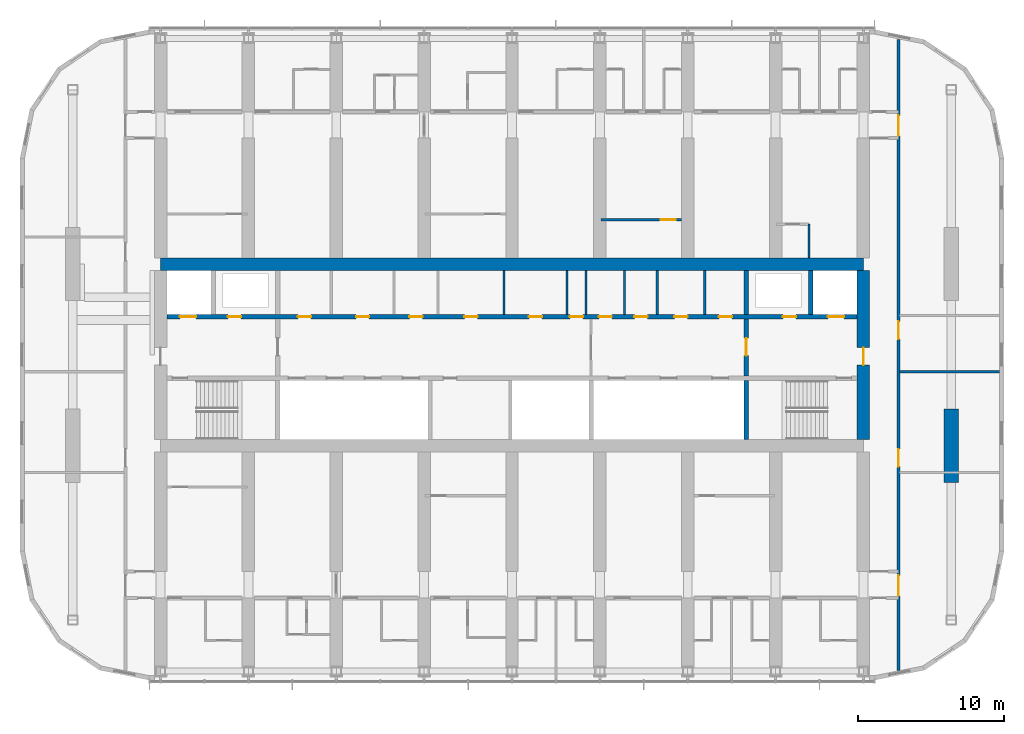
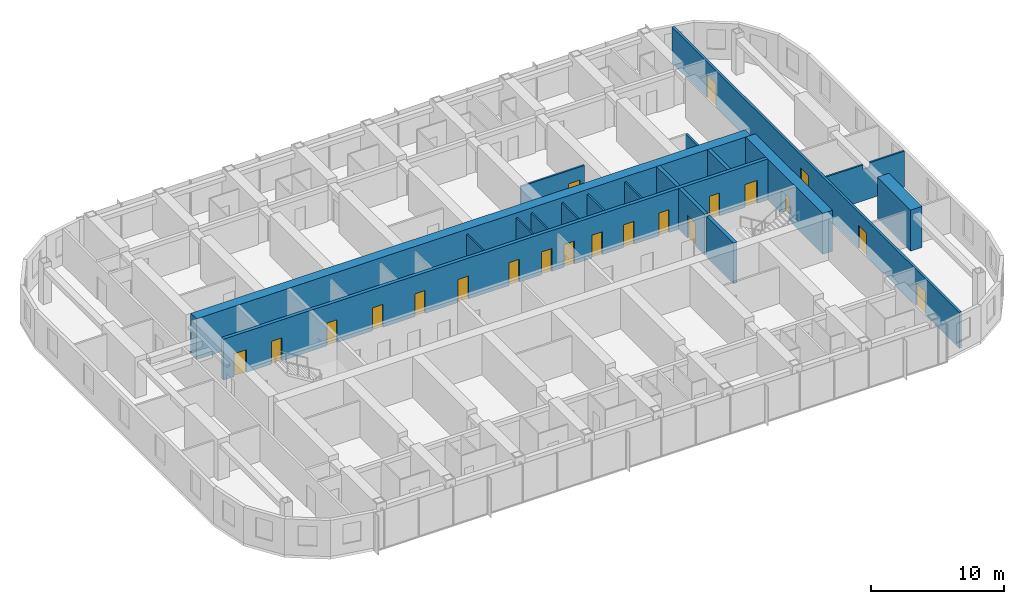
# One storey, part 14 of 23: 21 doors, 18 walls, 21 openings.
"""IFC4 building model written with IfcOpenShell, lengths in metres."""

from ifc_helpers import new_model, si_unit, direction, frame, frame_2d, origin, place, context, subcontext, project, spatial, polyline, rectangle, outline, extrude, material, layer, layer_set, type_object, element, fill, save


model = new_model("IFC4")

# Units and contexts
model_context = context("Model", 3, precision=1e-05, world=origin(), true_north=direction((0.0, 1.0)))
body_context = subcontext(model_context, "Body", "Model", "MODEL_VIEW")
ifc_project = project(units=[si_unit("LENGTHUNIT", "METRE"), si_unit("AREAUNIT", "SQUARE_METRE"), si_unit("VOLUMEUNIT", "CUBIC_METRE"), si_unit("PLANEANGLEUNIT", "RADIAN"), si_unit("MASSUNIT", "GRAM", prefix="KILO")], contexts=[model_context])

# Site, building, storey
site_placement = place(None, origin())
site = spatial("IfcSite", under=ifc_project, at=site_placement, CompositionType="ELEMENT")
building_placement = place(site_placement, origin())
building = spatial("IfcBuilding", under=site, at=building_placement, Name="Orbita Commons", CompositionType="ELEMENT")
storey_placement = place(building_placement, frame((0.0, 0.0, 174.85009765625)))
storey = spatial("IfcBuildingStorey", under=building, at=storey_placement, Name="L43", CompositionType="ELEMENT", Elevation=174.85009765625)

# Wall, openings, doors
ifc_material_1 = material(Name="Concrete C50/60", Category="concrete")
ifc_layer_1 = layer(ifc_material_1, 0.300048828125)
ifc_layer_set_1 = layer_set([ifc_layer_1], Name="Concrete C50/60")
wall_type_1 = type_object("IfcWallType", Name="Core inner wall 300 C50/60", PredefinedType="SHEAR", material=ifc_layer_set_1)
wall_1_placement = place(storey_placement, frame((18.425048828125, 34.60009765625, 0.0), z_axis=(0.0, 0.0, 1.0), x_axis=(1.0, 0.0, 0.0)))
wall_1 = element("IfcWall", 1, at=wall_1_placement, inside=storey, type_object=wall_type_1, Name="Lobby wall north L43", PredefinedType="SHEAR", context=body_context, shape_type="SweptSolid", body=[
    extrude(rectangle(XDim=47.14990234375, YDim=0.300048828125, at=frame_2d((23.574951171875, 0.0))), origin(), (0.0, 0.0, 1.0), 3.75),
])
opening_1_placement = place(wall_1_placement, frame((0.89990234375, 0.0, 0.0)))
opening_1 = element("IfcOpeningElement", 2, at=opening_1_placement, cuts=wall_1, Name="Opening LD01", PredefinedType="OPENING", context=body_context, shape_type="SweptSolid", body=[
    extrude(rectangle(XDim=1.10009765625, YDim=2.10009765625, at=frame_2d((0.550048828125, 1.050048828125))), frame((0.0, 0.159912109375, 0.0), z_axis=(0.0, -1.0, 0.0), x_axis=(1.0, 0.0, 0.0)), (0.0, 0.0, 1.0), 0.320068359375),
])
opening_2_placement = place(wall_1_placement, frame((45.14990234375, 0.0, 0.0)))
opening_2 = element("IfcOpeningElement", 3, at=opening_2_placement, cuts=wall_1, Name="Opening LD01", PredefinedType="OPENING", context=body_context, shape_type="SweptSolid", body=[
    extrude(rectangle(XDim=1.10009765625, YDim=2.10009765625, at=frame_2d((0.550048828125, 1.050048828125))), frame((0.0, 0.159912109375, 0.0), z_axis=(0.0, -1.0, 0.0), x_axis=(1.0, 0.0, 0.0)), (0.0, 0.0, 1.0), 0.320068359375),
])
opening_3_placement = place(wall_1_placement, frame((4.175048828125, 0.0, 0.0)))
opening_3 = element("IfcOpeningElement", 4, at=opening_3_placement, cuts=wall_1, Name="Opening D03", PredefinedType="OPENING", context=body_context, shape_type="SweptSolid", body=[
    extrude(rectangle(XDim=0.89990234375, YDim=2.10009765625, at=frame_2d((0.449951171875, 1.050048828125))), frame((0.0, 0.159912109375, 0.0), z_axis=(0.0, -1.0, 0.0), x_axis=(1.0, 0.0, 0.0)), (0.0, 0.0, 1.0), 0.320068359375),
])
opening_4_placement = place(wall_1_placement, frame((42.074951171875, 0.0, 0.0)))
opening_4 = element("IfcOpeningElement", 5, at=opening_4_placement, cuts=wall_1, Name="Opening D03", PredefinedType="OPENING", context=body_context, shape_type="SweptSolid", body=[
    extrude(rectangle(XDim=0.89990234375, YDim=2.10009765625, at=frame_2d((0.449951171875, 1.050048828125))), frame((0.0, 0.159912109375, 0.0), z_axis=(0.0, -1.0, 0.0), x_axis=(1.0, 0.0, 0.0)), (0.0, 0.0, 1.0), 0.320068359375),
])
opening_5_placement = place(wall_1_placement, frame((8.950439453125, 0.0, 0.0)))
opening_5 = element("IfcOpeningElement", 6, at=opening_5_placement, cuts=wall_1, Name="Opening D03", PredefinedType="OPENING", context=body_context, shape_type="SweptSolid", body=[
    extrude(rectangle(XDim=0.89990234375, YDim=2.10009765625, at=frame_2d((0.449951171875, 1.050048828125))), frame((0.0, 0.159912109375, 0.0), z_axis=(0.0, -1.0, 0.0), x_axis=(1.0, 0.0, 0.0)), (0.0, 0.0, 1.0), 0.320068359375),
])
opening_6_placement = place(wall_1_placement, frame((12.923583984375, 0.0, 0.0)))
opening_6 = element("IfcOpeningElement", 7, at=opening_6_placement, cuts=wall_1, Name="Opening D03", PredefinedType="OPENING", context=body_context, shape_type="SweptSolid", body=[
    extrude(rectangle(XDim=0.89990234375, YDim=2.10009765625, at=frame_2d((0.449951171875, 1.050048828125))), frame((0.0, 0.159912109375, 0.0), z_axis=(0.0, -1.0, 0.0), x_axis=(1.0, 0.0, 0.0)), (0.0, 0.0, 1.0), 0.320068359375),
])
opening_7_placement = place(wall_1_placement, frame((16.5712890625, 0.0, 0.0)))
opening_7 = element("IfcOpeningElement", 8, at=opening_7_placement, cuts=wall_1, Name="Opening D03", PredefinedType="OPENING", context=body_context, shape_type="SweptSolid", body=[
    extrude(rectangle(XDim=0.89990234375, YDim=2.10009765625, at=frame_2d((0.449951171875, 1.050048828125))), frame((0.0, 0.159912109375, 0.0), z_axis=(0.0, -1.0, 0.0), x_axis=(1.0, 0.0, 0.0)), (0.0, 0.0, 1.0), 0.320068359375),
])
opening_8_placement = place(wall_1_placement, frame((20.32958984375, 0.0, 0.0)))
opening_8 = element("IfcOpeningElement", 9, at=opening_8_placement, cuts=wall_1, Name="Opening D03", PredefinedType="OPENING", context=body_context, shape_type="SweptSolid", body=[
    extrude(rectangle(XDim=0.89990234375, YDim=2.10009765625, at=frame_2d((0.449951171875, 1.050048828125))), frame((0.0, 0.159912109375, 0.0), z_axis=(0.0, -1.0, 0.0), x_axis=(1.0, 0.0, 0.0)), (0.0, 0.0, 1.0), 0.320068359375),
])
opening_9_placement = place(wall_1_placement, frame((24.735595703125, 0.0, 0.0)))
opening_9 = element("IfcOpeningElement", 10, at=opening_9_placement, cuts=wall_1, Name="Opening D03", PredefinedType="OPENING", context=body_context, shape_type="SweptSolid", body=[
    extrude(rectangle(XDim=0.89990234375, YDim=2.10009765625, at=frame_2d((0.449951171875, 1.050048828125))), frame((0.0, 0.159912109375, 0.0), z_axis=(0.0, -1.0, 0.0), x_axis=(1.0, 0.0, 0.0)), (0.0, 0.0, 1.0), 0.320068359375),
])
opening_10_placement = place(wall_1_placement, frame((27.533447265625, 0.0, 0.0)))
opening_10 = element("IfcOpeningElement", 11, at=opening_10_placement, cuts=wall_1, Name="Opening D03", PredefinedType="OPENING", context=body_context, shape_type="SweptSolid", body=[
    extrude(rectangle(XDim=0.89990234375, YDim=2.10009765625, at=frame_2d((0.449951171875, 1.050048828125))), frame((0.0, 0.159912109375, 0.0), z_axis=(0.0, -1.0, 0.0), x_axis=(1.0, 0.0, 0.0)), (0.0, 0.0, 1.0), 0.320068359375),
])
opening_11_placement = place(wall_1_placement, frame((29.50048828125, 0.0, 0.0)))
opening_11 = element("IfcOpeningElement", 12, at=opening_11_placement, cuts=wall_1, Name="Opening D05", PredefinedType="OPENING", context=body_context, shape_type="SweptSolid", body=[
    extrude(rectangle(XDim=0.89990234375, YDim=2.10009765625, at=frame_2d((0.449951171875, 1.050048828125))), frame((0.0, 0.159912109375, 0.0), z_axis=(0.0, -1.0, 0.0), x_axis=(1.0, 0.0, 0.0)), (0.0, 0.0, 1.0), 0.320068359375),
])
opening_12_placement = place(wall_1_placement, frame((31.931884765625, 0.0, 0.0)))
opening_12 = element("IfcOpeningElement", 13, at=opening_12_placement, cuts=wall_1, Name="Opening D05", PredefinedType="OPENING", context=body_context, shape_type="SweptSolid", body=[
    extrude(rectangle(XDim=0.89990234375, YDim=2.10009765625, at=frame_2d((0.449951171875, 1.050048828125))), frame((0.0, 0.159912109375, 0.0), z_axis=(0.0, -1.0, 0.0), x_axis=(1.0, 0.0, 0.0)), (0.0, 0.0, 1.0), 0.320068359375),
])
opening_13_placement = place(wall_1_placement, frame((34.667236328125, 0.0, 0.0)))
opening_13 = element("IfcOpeningElement", 14, at=opening_13_placement, cuts=wall_1, Name="Opening D05", PredefinedType="OPENING", context=body_context, shape_type="SweptSolid", body=[
    extrude(rectangle(XDim=0.89990234375, YDim=2.10009765625, at=frame_2d((0.449951171875, 1.050048828125))), frame((0.0, 0.159912109375, 0.0), z_axis=(0.0, -1.0, 0.0), x_axis=(1.0, 0.0, 0.0)), (0.0, 0.0, 1.0), 0.320068359375),
])
opening_14_placement = place(wall_1_placement, frame((37.70654296875, 0.0, 0.0)))
opening_14 = element("IfcOpeningElement", 15, at=opening_14_placement, cuts=wall_1, Name="Opening D03", PredefinedType="OPENING", context=body_context, shape_type="SweptSolid", body=[
    extrude(rectangle(XDim=0.89990234375, YDim=2.10009765625, at=frame_2d((0.449951171875, 1.050048828125))), frame((0.0, 0.159912109375, 0.0), z_axis=(0.0, -1.0, 0.0), x_axis=(1.0, 0.0, 0.0)), (0.0, 0.0, 1.0), 0.320068359375),
])
ifc_material_2 = material(Name="Steel-faced fire door leaf", Category="steel")
door_type_1 = type_object("IfcDoorType", Name="Firefighting lift landing door 1100x2100", OperationType="DOUBLE_DOOR_SLIDING", PredefinedType="DOOR", material=ifc_material_2)
door_1_placement = place(opening_1_placement, origin())
door_1 = element("IfcDoor", 16, at=door_1_placement, inside=storey, type_object=door_type_1, Name="Firefighting lift FL1 landing door", OperationType="DOUBLE_DOOR_SLIDING", OverallHeight=2.10009765625, OverallWidth=1.10009765625, PredefinedType="DOOR", context=body_context, shape_type="SweptSolid", body=[
    extrude(rectangle(XDim=1.10009765625, YDim=2.10009765625, at=frame_2d((0.550048828125, 1.050048828125))), frame((0.0, 0.02490234375, 0.0), z_axis=(0.0, -1.0, 0.0), x_axis=(1.0, 0.0, 0.0)), (0.0, 0.0, 1.0), 0.050048828125),
])
fill(opening_1, door_1)
door_2_placement = place(opening_2_placement, origin())
door_2 = element("IfcDoor", 17, at=door_2_placement, inside=storey, type_object=door_type_1, Name="Firefighting lift FL2 landing door", OperationType="DOUBLE_DOOR_SLIDING", OverallHeight=2.10009765625, OverallWidth=1.10009765625, PredefinedType="DOOR", context=body_context, shape_type="SweptSolid", body=[
    extrude(rectangle(XDim=1.10009765625, YDim=2.10009765625, at=frame_2d((0.550048828125, 1.050048828125))), frame((0.0, 0.02490234375, 0.0), z_axis=(0.0, -1.0, 0.0), x_axis=(1.0, 0.0, 0.0)), (0.0, 0.0, 1.0), 0.050048828125),
])
fill(opening_2, door_2)
ifc_material_3 = material(Name="Steel-faced fire door leaf", Category="steel")
door_type_2 = type_object("IfcDoorType", Name="Service door 20 min 900x2100", OperationType="SINGLE_SWING_LEFT", PredefinedType="DOOR", material=ifc_material_3)
door_3_placement = place(opening_11_placement, origin())
door_3 = element("IfcDoor", 18, at=door_3_placement, inside=storey, type_object=door_type_2, Name="Accessible WC door", OperationType="SINGLE_SWING_LEFT", OverallHeight=2.10009765625, OverallWidth=0.89990234375, PredefinedType="DOOR", context=body_context, shape_type="SweptSolid", body=[
    extrude(rectangle(XDim=0.89990234375, YDim=2.10009765625, at=frame_2d((0.449951171875, 1.050048828125))), frame((0.0, 0.02490234375, 0.0), z_axis=(0.0, -1.0, 0.0), x_axis=(1.0, 0.0, 0.0)), (0.0, 0.0, 1.0), 0.050048828125),
])
fill(opening_11, door_3)
door_4_placement = place(opening_12_placement, origin())
door_4 = element("IfcDoor", 19, at=door_4_placement, inside=storey, type_object=door_type_2, Name="Staff WC door", OperationType="SINGLE_SWING_LEFT", OverallHeight=2.10009765625, OverallWidth=0.89990234375, PredefinedType="DOOR", context=body_context, shape_type="SweptSolid", body=[
    extrude(rectangle(XDim=0.89990234375, YDim=2.10009765625, at=frame_2d((0.449951171875, 1.050048828125))), frame((0.0, 0.02490234375, 0.0), z_axis=(0.0, -1.0, 0.0), x_axis=(1.0, 0.0, 0.0)), (0.0, 0.0, 1.0), 0.050048828125),
])
fill(opening_12, door_4)
door_5_placement = place(opening_13_placement, origin())
door_5 = element("IfcDoor", 20, at=door_5_placement, inside=storey, type_object=door_type_2, Name="Guest pantry door", OperationType="SINGLE_SWING_LEFT", OverallHeight=2.10009765625, OverallWidth=0.89990234375, PredefinedType="DOOR", context=body_context, shape_type="SweptSolid", body=[
    extrude(rectangle(XDim=0.89990234375, YDim=2.10009765625, at=frame_2d((0.449951171875, 1.050048828125))), frame((0.0, 0.02490234375, 0.0), z_axis=(0.0, -1.0, 0.0), x_axis=(1.0, 0.0, 0.0)), (0.0, 0.0, 1.0), 0.050048828125),
])
fill(opening_13, door_5)
ifc_material_4 = material(Name="Steel-faced fire door leaf", Category="steel")
door_type_3 = type_object("IfcDoorType", Name="Shaft access door 90 min 900x2100", OperationType="SINGLE_SWING_LEFT", PredefinedType="DOOR", material=ifc_material_4)
door_6_placement = place(opening_3_placement, origin())
door_6 = element("IfcDoor", 21, at=door_6_placement, inside=storey, type_object=door_type_3, Name="Riser door west", OperationType="SINGLE_SWING_LEFT", OverallHeight=2.10009765625, OverallWidth=0.89990234375, PredefinedType="DOOR", context=body_context, shape_type="SweptSolid", body=[
    extrude(rectangle(XDim=0.89990234375, YDim=2.10009765625, at=frame_2d((0.449951171875, 1.050048828125))), frame((0.0, 0.02490234375, 0.0), z_axis=(0.0, -1.0, 0.0), x_axis=(1.0, 0.0, 0.0)), (0.0, 0.0, 1.0), 0.050048828125),
])
fill(opening_3, door_6)
door_7_placement = place(opening_4_placement, origin())
door_7 = element("IfcDoor", 22, at=door_7_placement, inside=storey, type_object=door_type_3, Name="Riser door east", OperationType="SINGLE_SWING_LEFT", OverallHeight=2.10009765625, OverallWidth=0.89990234375, PredefinedType="DOOR", context=body_context, shape_type="SweptSolid", body=[
    extrude(rectangle(XDim=0.89990234375, YDim=2.10009765625, at=frame_2d((0.449951171875, 1.050048828125))), frame((0.0, 0.02490234375, 0.0), z_axis=(0.0, -1.0, 0.0), x_axis=(1.0, 0.0, 0.0)), (0.0, 0.0, 1.0), 0.050048828125),
])
fill(opening_4, door_7)
door_8_placement = place(opening_5_placement, origin())
door_8 = element("IfcDoor", 23, at=door_8_placement, inside=storey, type_object=door_type_3, Name="Cleaners store door", OperationType="SINGLE_SWING_LEFT", OverallHeight=2.10009765625, OverallWidth=0.89990234375, PredefinedType="DOOR", context=body_context, shape_type="SweptSolid", body=[
    extrude(rectangle(XDim=0.89990234375, YDim=2.10009765625, at=frame_2d((0.449951171875, 1.050048828125))), frame((0.0, 0.02490234375, 0.0), z_axis=(0.0, -1.0, 0.0), x_axis=(1.0, 0.0, 0.0)), (0.0, 0.0, 1.0), 0.050048828125),
])
fill(opening_5, door_8)
door_9_placement = place(opening_6_placement, origin())
door_9 = element("IfcDoor", 24, at=door_9_placement, inside=storey, type_object=door_type_3, Name="Refuse chute room door", OperationType="SINGLE_SWING_LEFT", OverallHeight=2.10009765625, OverallWidth=0.89990234375, PredefinedType="DOOR", context=body_context, shape_type="SweptSolid", body=[
    extrude(rectangle(XDim=0.89990234375, YDim=2.10009765625, at=frame_2d((0.449951171875, 1.050048828125))), frame((0.0, 0.02490234375, 0.0), z_axis=(0.0, -1.0, 0.0), x_axis=(1.0, 0.0, 0.0)), (0.0, 0.0, 1.0), 0.050048828125),
])
fill(opening_6, door_9)
door_10_placement = place(opening_7_placement, origin())
door_10 = element("IfcDoor", 25, at=door_10_placement, inside=storey, type_object=door_type_3, Name="Electrical riser room door", OperationType="SINGLE_SWING_LEFT", OverallHeight=2.10009765625, OverallWidth=0.89990234375, PredefinedType="DOOR", context=body_context, shape_type="SweptSolid", body=[
    extrude(rectangle(XDim=0.89990234375, YDim=2.10009765625, at=frame_2d((0.449951171875, 1.050048828125))), frame((0.0, 0.02490234375, 0.0), z_axis=(0.0, -1.0, 0.0), x_axis=(1.0, 0.0, 0.0)), (0.0, 0.0, 1.0), 0.050048828125),
])
fill(opening_7, door_10)
door_11_placement = place(opening_8_placement, origin())
door_11 = element("IfcDoor", 26, at=door_11_placement, inside=storey, type_object=door_type_3, Name="IT room door", OperationType="SINGLE_SWING_LEFT", OverallHeight=2.10009765625, OverallWidth=0.89990234375, PredefinedType="DOOR", context=body_context, shape_type="SweptSolid", body=[
    extrude(rectangle(XDim=0.89990234375, YDim=2.10009765625, at=frame_2d((0.449951171875, 1.050048828125))), frame((0.0, 0.02490234375, 0.0), z_axis=(0.0, -1.0, 0.0), x_axis=(1.0, 0.0, 0.0)), (0.0, 0.0, 1.0), 0.050048828125),
])
fill(opening_8, door_11)
door_12_placement = place(opening_9_placement, origin())
door_12 = element("IfcDoor", 27, at=door_12_placement, inside=storey, type_object=door_type_3, Name="Communications room door", OperationType="SINGLE_SWING_LEFT", OverallHeight=2.10009765625, OverallWidth=0.89990234375, PredefinedType="DOOR", context=body_context, shape_type="SweptSolid", body=[
    extrude(rectangle(XDim=0.89990234375, YDim=2.10009765625, at=frame_2d((0.449951171875, 1.050048828125))), frame((0.0, 0.02490234375, 0.0), z_axis=(0.0, -1.0, 0.0), x_axis=(1.0, 0.0, 0.0)), (0.0, 0.0, 1.0), 0.050048828125),
])
fill(opening_9, door_12)
door_13_placement = place(opening_10_placement, origin())
door_13 = element("IfcDoor", 28, at=door_13_placement, inside=storey, type_object=door_type_3, Name="Stair pressurisation duct door", OperationType="SINGLE_SWING_LEFT", OverallHeight=2.10009765625, OverallWidth=0.89990234375, PredefinedType="DOOR", context=body_context, shape_type="SweptSolid", body=[
    extrude(rectangle(XDim=0.89990234375, YDim=2.10009765625, at=frame_2d((0.449951171875, 1.050048828125))), frame((0.0, 0.02490234375, 0.0), z_axis=(0.0, -1.0, 0.0), x_axis=(1.0, 0.0, 0.0)), (0.0, 0.0, 1.0), 0.050048828125),
])
fill(opening_10, door_13)
door_14_placement = place(opening_14_placement, origin())
door_14 = element("IfcDoor", 29, at=door_14_placement, inside=storey, type_object=door_type_3, Name="Linen store door", OperationType="SINGLE_SWING_LEFT", OverallHeight=2.10009765625, OverallWidth=0.89990234375, PredefinedType="DOOR", context=body_context, shape_type="SweptSolid", body=[
    extrude(rectangle(XDim=0.89990234375, YDim=2.10009765625, at=frame_2d((0.449951171875, 1.050048828125))), frame((0.0, 0.02490234375, 0.0), z_axis=(0.0, -1.0, 0.0), x_axis=(1.0, 0.0, 0.0)), (0.0, 0.0, 1.0), 0.050048828125),
])
fill(opening_14, door_14)

# Wall
wall_2_placement = place(storey_placement, frame((58.0, 26.22509765625, 0.0), z_axis=(0.0, 0.0, 1.0), x_axis=(0.0, 1.0, 0.0)))
element("IfcWall", 30, at=wall_2_placement, inside=storey, type_object=wall_type_1, Name="Stair S2 wall L43", PredefinedType="SHEAR", context=body_context, shape_type="SweptSolid", body=[
    extrude(rectangle(XDim=4.02490234375, YDim=0.300048828125, at=frame_2d((2.012451171875, 0.0))), origin(), (0.0, 0.0, 1.0), 3.75),
])

# Wall, opening, door
wall_3_placement = place(storey_placement, frame((58.0, 30.550048828125, 0.0), z_axis=(0.0, 0.0, 1.0), x_axis=(0.0, 1.0, 0.0)))
wall_3 = element("IfcWall", 31, at=wall_3_placement, inside=storey, type_object=wall_type_1, Name="Firefighting lobby wall east L43", PredefinedType="SHEAR", context=body_context, shape_type="SweptSolid", body=[
    extrude(rectangle(XDim=3.89990234375, YDim=0.300048828125, at=frame_2d((1.949951171875, 0.0))), origin(), (0.0, 0.0, 1.0), 3.75),
])
opening_15_placement = place(wall_3_placement, frame((1.39990234375, 0.0, 0.0)))
opening_15 = element("IfcOpeningElement", 32, at=opening_15_placement, cuts=wall_3, Name="Opening D04", PredefinedType="OPENING", context=body_context, shape_type="SweptSolid", body=[
    extrude(rectangle(XDim=1.199951171875, YDim=2.10009765625, at=frame_2d((0.60009765625, 1.050048828125))), frame((0.0, 0.159912109375, 0.0), z_axis=(0.0, -1.0, 0.0), x_axis=(1.0, 0.0, 0.0)), (0.0, 0.0, 1.0), 0.320068359375),
])
ifc_material_5 = material(Name="Steel-faced fire door leaf", Category="steel")
door_type_4 = type_object("IfcDoorType", Name="Service door 20 min 1200x2100", OperationType="SINGLE_SWING_LEFT", PredefinedType="DOOR", material=ifc_material_5)
door_15_placement = place(opening_15_placement, origin())
door_15 = element("IfcDoor", 33, at=door_15_placement, inside=storey, type_object=door_type_4, Name="Lift lobby door east", OperationType="SINGLE_SWING_LEFT", OverallHeight=2.10009765625, OverallWidth=1.199951171875, PredefinedType="DOOR", context=body_context, shape_type="SweptSolid", body=[
    extrude(rectangle(XDim=1.199951171875, YDim=2.10009765625, at=frame_2d((0.60009765625, 1.050048828125))), frame((0.0, 0.02490234375, 0.0), z_axis=(0.0, -1.0, 0.0), x_axis=(1.0, 0.0, 0.0)), (0.0, 0.0, 1.0), 0.050048828125),
])
fill(opening_15, door_15)

# Walls
for number, where, z_axis, x_axis, name in (
    (34, (62.39990234375, 34.75, 0.0), (0.0, 0.0, 1.0), (0.0, 1.0, 0.0), "Firefighting lift FL2 shaft wall L43"),
    (35, (58.0, 34.75, 0.0), (0.0, 0.0, 1.0), (0.0, 1.0, 0.0), "Riser wall east L43"),
):
    element("IfcWall", number, at=place(storey_placement, frame(where, z_axis=z_axis, x_axis=x_axis)), inside=storey, type_object=wall_type_1, Name=name, PredefinedType="SHEAR", context=body_context, shape_type="SweptSolid", body=[
        extrude(rectangle(XDim=3.02490234375, YDim=0.300048828125, at=frame_2d((1.512451171875, 0.0))), origin(), (0.0, 0.0, 1.0), 3.75),
    ])
ifc_material_6 = material(Name="Concrete blockwork", Category="masonry")
ifc_layer_2 = layer(ifc_material_6, 0.14990234375)
ifc_layer_set_2 = layer_set([ifc_layer_2], Name="Concrete blockwork")
wall_type_2 = type_object("IfcWallType", Name="Core partition 150 blockwork", PredefinedType="SOLIDWALL", material=ifc_layer_set_2)
for number, where, z_axis, x_axis, name in (
    (36, (41.463134765625, 34.75, 0.0), (0.0, 0.0, 1.0), (0.0, 1.0, 0.0), "Core partition 150 blockwork L43"),
    (37, (45.75830078125, 34.75, 0.0), (0.0, 0.0, 1.0), (0.0, 1.0, 0.0), "Core partition 150 blockwork L43"),
    (38, (47.058349609375, 34.75, 0.0), (0.0, 0.0, 1.0), (0.0, 1.0, 0.0), "Core partition 150 blockwork L43"),
    (39, (49.6923828125, 34.75, 0.0), (0.0, 0.0, 1.0), (0.0, 1.0, 0.0), "Core partition 150 blockwork L43"),
    (40, (51.92138671875, 34.75, 0.0), (0.0, 0.0, 1.0), (0.0, 1.0, 0.0), "Core partition 150 blockwork L43"),
    (41, (55.163330078125, 34.75, 0.0), (0.0, 0.0, 1.0), (0.0, 1.0, 0.0), "Core partition 150 blockwork L43"),
):
    element("IfcWall", number, at=place(storey_placement, frame(where, z_axis=z_axis, x_axis=x_axis)), inside=storey, type_object=wall_type_2, Name=name, PredefinedType="SOLIDWALL", context=body_context, shape_type="SweptSolid", body=[
        extrude(rectangle(XDim=3.02490234375, YDim=0.14990234375, at=frame_2d((1.512451171875, 0.0))), origin(), (0.0, 0.0, 1.0), 3.2998046875),
    ])
ifc_material_7 = material(Name="Concrete C50/60", Category="concrete")
ifc_layer_3 = layer(ifc_material_7, 0.85009765625)
ifc_layer_set_3 = layer_set([ifc_layer_3], Name="Concrete C50/60")
wall_type_3 = type_object("IfcWallType", Name="Core wall 850 C50/60", PredefinedType="SHEAR", material=ifc_layer_set_3)
wall_4_placement = place(storey_placement, frame((18.0, 38.199951171875, 0.0), z_axis=(0.0, 0.0, 1.0), x_axis=(1.0, 0.0, 0.0)))
element("IfcWall", 42, at=wall_4_placement, inside=storey, type_object=wall_type_3, Name="Core spine wall north L43", PredefinedType="SHEAR", context=body_context, shape_type="SweptSolid", body=[
    extrude(rectangle(XDim=48.0, YDim=0.85009765625, at=frame_2d((24.0, 0.0))), origin(), (0.0, 0.0, 1.0), 3.75),
])

# Wall, opening, door
wall_5_placement = place(storey_placement, frame((66.0, 26.22509765625, 0.0), z_axis=(0.0, 0.0, 1.0), x_axis=(0.0, 1.0, 0.0)))
wall_5 = element("IfcWall", 43, at=wall_5_placement, inside=storey, type_object=wall_type_3, Name="Core end wall east L43", PredefinedType="SHEAR", context=body_context, shape_type="SweptSolid", body=[
    extrude(rectangle(XDim=11.5498046875, YDim=0.85009765625, at=frame_2d((5.77490234375, 0.0))), origin(), (0.0, 0.0, 1.0), 3.75),
])
opening_16_placement = place(wall_5_placement, frame((5.074951171875, 0.0, 0.0)))
opening_16 = element("IfcOpeningElement", 44, at=opening_16_placement, cuts=wall_5, Name="Opening D01", PredefinedType="OPENING", context=body_context, shape_type="SweptSolid", body=[
    extrude(rectangle(XDim=1.199951171875, YDim=2.10009765625, at=frame_2d((0.60009765625, 1.050048828125))), frame((0.0, 0.43505859375, 0.0), z_axis=(0.0, -1.0, 0.0), x_axis=(1.0, 0.0, 0.0)), (0.0, 0.0, 1.0), 0.8701171875),
])
ifc_material_8 = material(Name="Steel-faced fire door leaf", Category="steel")
door_type_5 = type_object("IfcDoorType", Name="Fire door 90 min 1200x2100", OperationType="SINGLE_SWING_LEFT", PredefinedType="DOOR", material=ifc_material_8)
door_16_placement = place(opening_16_placement, origin())
door_16 = element("IfcDoor", 45, at=door_16_placement, inside=storey, type_object=door_type_5, Name="Firefighting lobby east door", OperationType="SINGLE_SWING_LEFT", OverallHeight=2.10009765625, OverallWidth=1.199951171875, PredefinedType="DOOR", context=body_context, shape_type="SweptSolid", body=[
    extrude(rectangle(XDim=1.199951171875, YDim=2.10009765625, at=frame_2d((0.60009765625, 1.050048828125))), frame((0.0, 0.02490234375, 0.0), z_axis=(0.0, -1.0, 0.0), x_axis=(1.0, 0.0, 0.0)), (0.0, 0.0, 1.0), 0.050048828125),
])
fill(opening_16, door_16)

# Wall, openings, doors
ifc_material_9 = material(Name="Concrete blockwork", Category="masonry")
ifc_layer_4 = layer(ifc_material_9, 0.199951171875)
ifc_layer_set_4 = layer_set([ifc_layer_4], Name="Concrete blockwork")
wall_type_4 = type_object("IfcWallType", Name="Corridor wall 200 blockwork", PredefinedType="SOLIDWALL", material=ifc_layer_set_4)
wall_6_placement = place(storey_placement, frame((68.39990234375, 10.4462890625, 0.0), z_axis=(0.0, 0.0, 1.0), x_axis=(0.0, 1.0, 0.0)))
wall_6 = element("IfcWall", 46, at=wall_6_placement, inside=storey, type_object=wall_type_4, Name="Corridor wall 200 blockwork L43", PredefinedType="SOLIDWALL", context=body_context, shape_type="SweptSolid", body=[
    extrude(rectangle(XDim=43.107421875, YDim=0.199951171875, at=frame_2d((21.5537109375, 0.0))), origin(), (0.0, 0.0, 1.0), 3.2998046875),
])
opening_17_placement = place(wall_6_placement, frame((13.913818359375, 0.0, 0.0)))
opening_17 = element("IfcOpeningElement", 47, at=opening_17_placement, cuts=wall_6, Name="Opening D15", PredefinedType="OPENING", context=body_context, shape_type="SweptSolid", body=[
    extrude(rectangle(XDim=1.199951171875, YDim=2.10009765625, at=frame_2d((0.60009765625, 1.050048828125))), frame((0.0, 0.10986328125, 0.0), z_axis=(0.0, -1.0, 0.0), x_axis=(1.0, 0.0, 0.0)), (0.0, 0.0, 1.0), 0.219970703125),
])
opening_18_placement = place(wall_6_placement, frame((22.6337890625, 0.0, 0.0)))
opening_18 = element("IfcOpeningElement", 48, at=opening_18_placement, cuts=wall_6, Name="Opening D15", PredefinedType="OPENING", context=body_context, shape_type="SweptSolid", body=[
    extrude(rectangle(XDim=1.199951171875, YDim=2.10009765625, at=frame_2d((0.60009765625, 1.050048828125))), frame((0.0, 0.10986328125, 0.0), z_axis=(0.0, -1.0, 0.0), x_axis=(1.0, 0.0, 0.0)), (0.0, 0.0, 1.0), 0.219970703125),
])
opening_19_placement = place(wall_6_placement, frame((5.103759765625, 0.0, 0.0)))
opening_19 = element("IfcOpeningElement", 49, at=opening_19_placement, cuts=wall_6, Name="Opening D08", PredefinedType="OPENING", context=body_context, shape_type="SweptSolid", body=[
    extrude(rectangle(XDim=1.39990234375, YDim=2.10009765625, at=frame_2d((0.699951171875, 1.050048828125))), frame((0.0, 0.10986328125, 0.0), z_axis=(0.0, -1.0, 0.0), x_axis=(1.0, 0.0, 0.0)), (0.0, 0.0, 1.0), 0.219970703125),
])
opening_20_placement = place(wall_6_placement, frame((36.50390625, 0.0, 0.0)))
opening_20 = element("IfcOpeningElement", 50, at=opening_20_placement, cuts=wall_6, Name="Opening D08", PredefinedType="OPENING", context=body_context, shape_type="SweptSolid", body=[
    extrude(rectangle(XDim=1.39990234375, YDim=2.10009765625, at=frame_2d((0.699951171875, 1.050048828125))), frame((0.0, 0.10986328125, 0.0), z_axis=(0.0, -1.0, 0.0), x_axis=(1.0, 0.0, 0.0)), (0.0, 0.0, 1.0), 0.219970703125),
])
ifc_material_10 = material(Name="Steel-faced fire door leaf", Category="steel")
door_type_6 = type_object("IfcDoorType", Name="Corridor door 20 min 1200x2100", OperationType="SINGLE_SWING_LEFT", PredefinedType="DOOR", material=ifc_material_10)
door_17_placement = place(opening_17_placement, origin())
door_17 = element("IfcDoor", 51, at=door_17_placement, inside=storey, type_object=door_type_6, Name="Study hall door", OperationType="SINGLE_SWING_LEFT", OverallHeight=2.10009765625, OverallWidth=1.199951171875, PredefinedType="DOOR", context=body_context, shape_type="SweptSolid", body=[
    extrude(rectangle(XDim=1.199951171875, YDim=2.10009765625, at=frame_2d((0.60009765625, 1.050048828125))), frame((0.0, 0.02490234375, 0.0), z_axis=(0.0, -1.0, 0.0), x_axis=(1.0, 0.0, 0.0)), (0.0, 0.0, 1.0), 0.050048828125),
])
fill(opening_17, door_17)
door_18_placement = place(opening_18_placement, origin())
door_18 = element("IfcDoor", 52, at=door_18_placement, inside=storey, type_object=door_type_6, Name="Study commons door", OperationType="SINGLE_SWING_LEFT", OverallHeight=2.10009765625, OverallWidth=1.199951171875, PredefinedType="DOOR", context=body_context, shape_type="SweptSolid", body=[
    extrude(rectangle(XDim=1.199951171875, YDim=2.10009765625, at=frame_2d((0.60009765625, 1.050048828125))), frame((0.0, 0.02490234375, 0.0), z_axis=(0.0, -1.0, 0.0), x_axis=(1.0, 0.0, 0.0)), (0.0, 0.0, 1.0), 0.050048828125),
])
fill(opening_18, door_18)
ifc_material_11 = material(Name="Steel-faced fire door leaf", Category="steel")
door_type_7 = type_object("IfcDoorType", Name="Double corridor door 20 min 1400x2100", OperationType="DOUBLE_DOOR_SINGLE_SWING", PredefinedType="DOOR", material=ifc_material_11)
door_19_placement = place(opening_19_placement, origin())
door_19 = element("IfcDoor", 53, at=door_19_placement, inside=storey, type_object=door_type_7, Name="Lounge doors", OperationType="DOUBLE_DOOR_SINGLE_SWING", OverallHeight=2.10009765625, OverallWidth=1.39990234375, PredefinedType="DOOR", context=body_context, shape_type="SweptSolid", body=[
    extrude(rectangle(XDim=1.39990234375, YDim=2.10009765625, at=frame_2d((0.699951171875, 1.050048828125))), frame((0.0, 0.02490234375, 0.0), z_axis=(0.0, -1.0, 0.0), x_axis=(1.0, 0.0, 0.0)), (0.0, 0.0, 1.0), 0.050048828125),
])
fill(opening_19, door_19)
door_20_placement = place(opening_20_placement, origin())
door_20 = element("IfcDoor", 54, at=door_20_placement, inside=storey, type_object=door_type_7, Name="Lounge doors", OperationType="DOUBLE_DOOR_SINGLE_SWING", OverallHeight=2.10009765625, OverallWidth=1.39990234375, PredefinedType="DOOR", context=body_context, shape_type="SweptSolid", body=[
    extrude(rectangle(XDim=1.39990234375, YDim=2.10009765625, at=frame_2d((0.699951171875, 1.050048828125))), frame((0.0, 0.02490234375, 0.0), z_axis=(0.0, -1.0, 0.0), x_axis=(1.0, 0.0, 0.0)), (0.0, 0.0, 1.0), 0.050048828125),
])
fill(opening_20, door_20)

# Wall
ifc_material_12 = material(Name="Concrete C50/60", Category="concrete")
ifc_layer_5 = layer(ifc_material_12, 1.0)
ifc_layer_set_5 = layer_set([ifc_layer_5], Name="Concrete C50/60")
wall_type_5 = type_object("IfcWallType", Name="End pier 1000x5000 C50/60", PredefinedType="SHEAR", material=ifc_layer_set_5)
wall_7_placement = place(storey_placement, frame((72.0, 23.300048828125, 0.0), z_axis=(0.0, 0.0, 1.0), x_axis=(0.0, 1.0, 0.0)))
element("IfcWall", 55, at=wall_7_placement, inside=storey, type_object=wall_type_5, Name="End pier 13/C L43", PredefinedType="SHEAR", context=body_context, shape_type="SweptSolid", body=[
    extrude(rectangle(XDim=5.0, YDim=1.0, at=frame_2d((2.5, 0.0))), origin(), (0.0, 0.0, 1.0), 3.75),
])

# Wall, opening, door
ifc_material_13 = material(Name="Gypsum plasterboard on steel studs", Category="steel")
ifc_layer_6 = layer(ifc_material_13, 0.14990234375)
ifc_layer_set_6 = layer_set([ifc_layer_6], Name="Gypsum plasterboard on steel studs")
wall_type_6 = type_object("IfcWallType", Name="Partition 150 plasterboard", PredefinedType="PARTITIONING", material=ifc_layer_set_6)
wall_8_placement = place(storey_placement, frame((53.574951171875, 41.22509765625, 0.0), z_axis=(0.0, 0.0, 1.0), x_axis=(-1.0, 0.0, 0.0)))
wall_8 = element("IfcWall", 56, at=wall_8_placement, inside=storey, type_object=wall_type_6, Name="Partition 150 plasterboard L43", PredefinedType="PARTITIONING", context=body_context, shape_type="SweptSolid", body=[
    extrude(rectangle(XDim=5.5, YDim=0.14990234375, at=frame_2d((2.75, 0.0))), origin(), (0.0, 0.0, 1.0), 3.2998046875),
])
opening_21_placement = place(wall_8_placement, frame((0.39990234375, 0.0, 0.0)))
opening_21 = element("IfcOpeningElement", 57, at=opening_21_placement, cuts=wall_8, Name="Opening D17", PredefinedType="OPENING", context=body_context, shape_type="SweptSolid", body=[
    extrude(rectangle(XDim=1.0, YDim=2.10009765625, at=frame_2d((0.5, 1.050048828125))), frame((0.0, 0.0849609375, 0.0), z_axis=(0.0, -1.0, 0.0), x_axis=(1.0, 0.0, 0.0)), (0.0, 0.0, 1.0), 0.169921875),
])
ifc_material_14 = material(Name="Steel-faced fire door leaf", Category="steel")
door_type_8 = type_object("IfcDoorType", Name="Shaft access door 90 min 1000x2100", OperationType="SINGLE_SWING_LEFT", PredefinedType="DOOR", material=ifc_material_14)
door_21_placement = place(opening_21_placement, origin())
door_21 = element("IfcDoor", 58, at=door_21_placement, inside=storey, type_object=door_type_8, Name="Electrical and data room L43-BDN48 door", OperationType="SINGLE_SWING_LEFT", OverallHeight=2.10009765625, OverallWidth=1.0, PredefinedType="DOOR", context=body_context, shape_type="SweptSolid", body=[
    extrude(rectangle(XDim=1.0, YDim=2.10009765625, at=frame_2d((0.5, 1.050048828125))), frame((0.0, 0.02490234375, 0.0), z_axis=(0.0, -1.0, 0.0), x_axis=(1.0, 0.0, 0.0)), (0.0, 0.0, 1.0), 0.050048828125),
])
fill(opening_21, door_21)

# Walls
wall_9_placement = place(storey_placement, frame((62.27490234375, 40.925048828125, 0.0), z_axis=(0.0, 0.0, 1.0), x_axis=(0.0, -1.0, 0.0)))
element("IfcWall", 59, at=wall_9_placement, inside=storey, type_object=wall_type_6, Name="Partition 150 plasterboard L43", PredefinedType="PARTITIONING", context=body_context, shape_type="SweptSolid", body=[
    extrude(rectangle(XDim=2.300048828125, YDim=0.14990234375, at=frame_2d((1.14990234375, 0.0))), origin(), (0.0, 0.0, 1.0), 3.2998046875),
])
wall_10_placement = place(storey_placement, frame((68.47509765625, 30.85009765625, 0.0), z_axis=(0.0, 0.0, 1.0), x_axis=(1.0, 0.0, 0.0)))
element("IfcWall", 60, at=wall_10_placement, inside=storey, type_object=wall_type_6, Name="Partition 150 plasterboard L43", PredefinedType="PARTITIONING", context=body_context, shape_type="SweptSolid", body=[
    extrude(outline(polyline([(0.0, 0.0), (6.81982421875, 0.0), (6.820068359375, 3.2998046875), (3.826904296875, 3.2998046875), (3.824951171875, 2.849853515625), (3.22705078125, 2.849853515625), (3.22509765625, 3.2998046875), (0.0, 3.2998046875), (0.0, 0.0)])), frame((0.0, 0.074951171875, 0.0), z_axis=(0.0, -1.0, 0.0), x_axis=(1.0, 0.0, 0.0)), (0.0, 0.0, 1.0), 0.14990234375),
])

save(model, "model.ifc")
